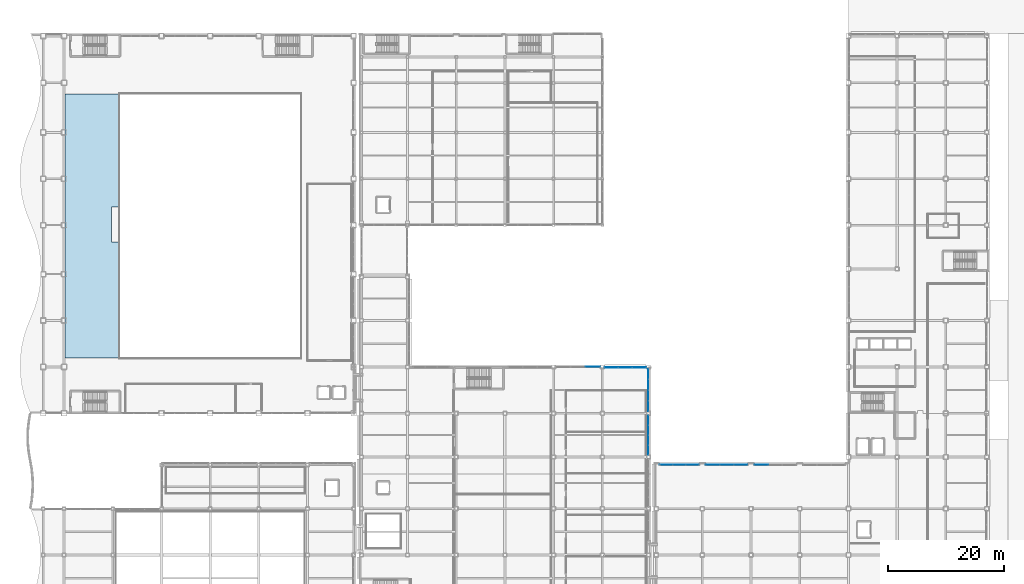
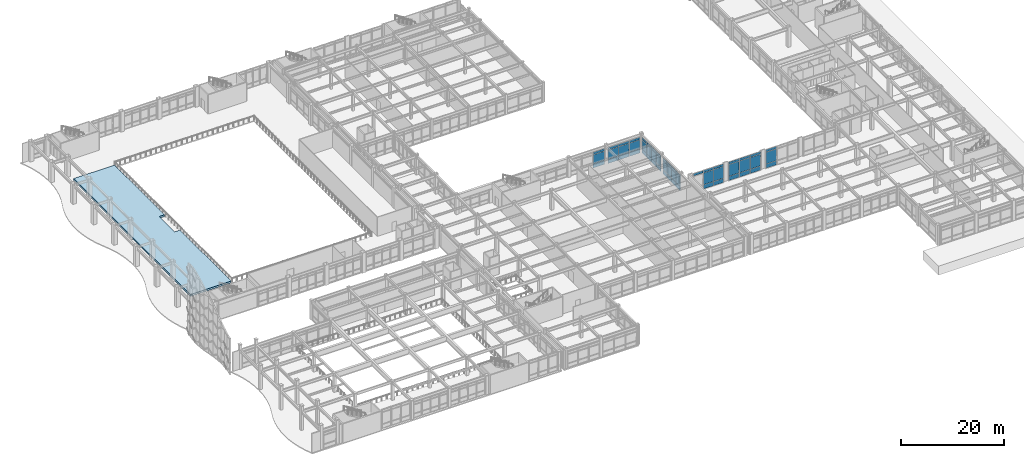
# One storey, part 129 of 172: 55 plates, 1 slab, 7 elements without a shape of their own.
"""IFC4 building model written with IfcOpenShell, lengths in metres."""

from ifc_helpers import new_model, si_unit, direction, frame, origin, origin_2d, place, context, subcontext, project, spatial, polyline, rectangle, outline, extrude, material, layer, layer_set, type_object, element, aggregate, save


model = new_model("IFC4")

# Units and contexts
model_context = context("Model", 3, precision=1e-05, world=origin(), true_north=direction((0.0, 1.0)))
body_context = subcontext(model_context, "Body", "Model", "MODEL_VIEW")
ifc_project = project(units=[si_unit("LENGTHUNIT", "METRE"), si_unit("AREAUNIT", "SQUARE_METRE"), si_unit("VOLUMEUNIT", "CUBIC_METRE"), si_unit("PLANEANGLEUNIT", "RADIAN"), si_unit("MASSUNIT", "GRAM", prefix="KILO")], contexts=[model_context])

# Site, building, storey
site_placement = place(None, origin())
site = spatial("IfcSite", under=ifc_project, at=site_placement, CompositionType="ELEMENT")
building_placement = place(site_placement, origin())
building = spatial("IfcBuilding", under=site, at=building_placement, Name="Kazehara Bluff Congress Hotel", CompositionType="ELEMENT")
storey_placement = place(building_placement, frame((0.0, 0.0, 5.39990234375)))
storey = spatial("IfcBuildingStorey", under=building, at=storey_placement, Name="L01", CompositionType="ELEMENT", Elevation=5.39990234375)

# Curtain wall, plates
ifc_material_1 = material(Name="Anodised aluminium", Category="aluminium")
ifc_layer_1 = layer(ifc_material_1, 0.159912109375)
ifc_layer_set_1 = layer_set([ifc_layer_1], Name="Anodised aluminium")
curtain_wall_type_1 = type_object("IfcCurtainWallType", Name="TP-CW-55", PredefinedType="NOTDEFINED", material=ifc_layer_set_1)
curtain_wall_1_placement = place(storey_placement, origin())
curtain_wall_1 = element("IfcCurtainWall", 1, at=curtain_wall_1_placement, inside=storey, type_object=curtain_wall_type_1, Name="L01 curtain wall CW-55 CW-V4-L01-X10920-4122", PredefinedType="NOTDEFINED")
ifc_material_2 = material(Name="Insulated low-E double glazing", Category="glass")
ifc_layer_2 = layer(ifc_material_2, 0.028076171875)
ifc_layer_set_2 = layer_set([ifc_layer_2], Name="Insulated low-E double glazing")
plate_type_1 = type_object("IfcPlateType", Name="TP-CWP-01", PredefinedType="CURTAIN_PANEL", material=ifc_layer_set_2)
plate_1_placement = place(storey_placement, frame((109.199951171875, 42.103759765625, 0.06494140625), z_axis=(0.0, 0.0, 1.0), x_axis=(0.0, 1.0, 0.0)))
plate_1 = element("IfcPlate", 2, at=plate_1_placement, type_object=plate_type_1, Name="CW-55 panel 1.1", PredefinedType="CURTAIN_PANEL", context=body_context, shape_type="SweptSolid", body=[
    extrude(rectangle(XDim=1.62744140625, YDim=0.028076171875, at=origin_2d()), origin(), (0.0, 0.0, 1.0), 0.952392578125),
])
plate_2_placement = place(storey_placement, frame((109.199951171875, 42.103759765625, 1.08251953125), z_axis=(0.0, 0.0, 1.0), x_axis=(0.0, 1.0, 0.0)))
plate_2 = element("IfcPlate", 3, at=plate_2_placement, type_object=plate_type_1, Name="CW-55 panel 1.2", PredefinedType="CURTAIN_PANEL", context=body_context, shape_type="SweptSolid", body=[
    extrude(rectangle(XDim=1.62744140625, YDim=0.028076171875, at=origin_2d()), origin(), (0.0, 0.0, 1.0), 2.110107421875),
])
plate_3_placement = place(storey_placement, frame((109.199951171875, 42.103759765625, 3.2578125), z_axis=(0.0, 0.0, 1.0), x_axis=(0.0, 1.0, 0.0)))
plate_3 = element("IfcPlate", 4, at=plate_3_placement, type_object=plate_type_1, Name="CW-55 panel 1.3", PredefinedType="CURTAIN_PANEL", context=body_context, shape_type="SweptSolid", body=[
    extrude(rectangle(XDim=1.62744140625, YDim=0.028076171875, at=origin_2d()), origin(), (0.0, 0.0, 1.0), 0.552490234375),
])
plate_4_placement = place(storey_placement, frame((109.199951171875, 43.8125, 0.06494140625), z_axis=(0.0, 0.0, 1.0), x_axis=(0.0, 1.0, 0.0)))
plate_4 = element("IfcPlate", 5, at=plate_4_placement, type_object=plate_type_1, Name="CW-55 panel 2.1", PredefinedType="CURTAIN_PANEL", context=body_context, shape_type="SweptSolid", body=[
    extrude(rectangle(XDim=1.659912109375, YDim=0.028076171875, at=origin_2d()), origin(), (0.0, 0.0, 1.0), 0.952392578125),
])
plate_5_placement = place(storey_placement, frame((109.199951171875, 43.8125, 1.08251953125), z_axis=(0.0, 0.0, 1.0), x_axis=(0.0, 1.0, 0.0)))
plate_5 = element("IfcPlate", 6, at=plate_5_placement, type_object=plate_type_1, Name="CW-55 panel 2.2", PredefinedType="CURTAIN_PANEL", context=body_context, shape_type="SweptSolid", body=[
    extrude(rectangle(XDim=1.659912109375, YDim=0.028076171875, at=origin_2d()), origin(), (0.0, 0.0, 1.0), 2.110107421875),
])
plate_6_placement = place(storey_placement, frame((109.199951171875, 43.8125, 3.2578125), z_axis=(0.0, 0.0, 1.0), x_axis=(0.0, 1.0, 0.0)))
plate_6 = element("IfcPlate", 7, at=plate_6_placement, type_object=plate_type_1, Name="CW-55 panel 2.3", PredefinedType="CURTAIN_PANEL", context=body_context, shape_type="SweptSolid", body=[
    extrude(rectangle(XDim=1.659912109375, YDim=0.028076171875, at=origin_2d()), origin(), (0.0, 0.0, 1.0), 0.552490234375),
])
plate_7_placement = place(storey_placement, frame((109.199951171875, 45.53759765625, 0.06494140625), z_axis=(0.0, 0.0, 1.0), x_axis=(0.0, 1.0, 0.0)))
plate_7 = element("IfcPlate", 8, at=plate_7_placement, type_object=plate_type_1, Name="CW-55 panel 3.1", PredefinedType="CURTAIN_PANEL", context=body_context, shape_type="SweptSolid", body=[
    extrude(rectangle(XDim=1.659912109375, YDim=0.028076171875, at=origin_2d()), origin(), (0.0, 0.0, 1.0), 0.952392578125),
])
plate_8_placement = place(storey_placement, frame((109.199951171875, 45.53759765625, 1.08251953125), z_axis=(0.0, 0.0, 1.0), x_axis=(0.0, 1.0, 0.0)))
plate_8 = element("IfcPlate", 9, at=plate_8_placement, type_object=plate_type_1, Name="CW-55 panel 3.2", PredefinedType="CURTAIN_PANEL", context=body_context, shape_type="SweptSolid", body=[
    extrude(rectangle(XDim=1.659912109375, YDim=0.028076171875, at=origin_2d()), origin(), (0.0, 0.0, 1.0), 2.110107421875),
])
plate_9_placement = place(storey_placement, frame((109.199951171875, 45.53759765625, 3.2578125), z_axis=(0.0, 0.0, 1.0), x_axis=(0.0, 1.0, 0.0)))
plate_9 = element("IfcPlate", 10, at=plate_9_placement, type_object=plate_type_1, Name="CW-55 panel 3.3", PredefinedType="CURTAIN_PANEL", context=body_context, shape_type="SweptSolid", body=[
    extrude(rectangle(XDim=1.659912109375, YDim=0.028076171875, at=origin_2d()), origin(), (0.0, 0.0, 1.0), 0.552490234375),
])
plate_10_placement = place(storey_placement, frame((109.199951171875, 47.246337890625, 0.06494140625), z_axis=(0.0, 0.0, 1.0), x_axis=(0.0, 1.0, 0.0)))
plate_10 = element("IfcPlate", 11, at=plate_10_placement, type_object=plate_type_1, Name="CW-55 panel 4.1", PredefinedType="CURTAIN_PANEL", context=body_context, shape_type="SweptSolid", body=[
    extrude(rectangle(XDim=1.62744140625, YDim=0.028076171875, at=origin_2d()), origin(), (0.0, 0.0, 1.0), 0.952392578125),
])
plate_11_placement = place(storey_placement, frame((109.199951171875, 47.246337890625, 1.08251953125), z_axis=(0.0, 0.0, 1.0), x_axis=(0.0, 1.0, 0.0)))
plate_11 = element("IfcPlate", 12, at=plate_11_placement, type_object=plate_type_1, Name="CW-55 panel 4.2", PredefinedType="CURTAIN_PANEL", context=body_context, shape_type="SweptSolid", body=[
    extrude(rectangle(XDim=1.62744140625, YDim=0.028076171875, at=origin_2d()), origin(), (0.0, 0.0, 1.0), 2.110107421875),
])
plate_12_placement = place(storey_placement, frame((109.199951171875, 47.246337890625, 3.2578125), z_axis=(0.0, 0.0, 1.0), x_axis=(0.0, 1.0, 0.0)))
plate_12 = element("IfcPlate", 13, at=plate_12_placement, type_object=plate_type_1, Name="CW-55 panel 4.3", PredefinedType="CURTAIN_PANEL", context=body_context, shape_type="SweptSolid", body=[
    extrude(rectangle(XDim=1.62744140625, YDim=0.028076171875, at=origin_2d()), origin(), (0.0, 0.0, 1.0), 0.552490234375),
])
aggregate(curtain_wall_1, [plate_1, plate_2, plate_3, plate_4, plate_5, plate_6, plate_7, plate_8, plate_9, plate_10, plate_11, plate_12])

ifc_material_3 = material(Name="Anodised aluminium", Category="aluminium")
ifc_layer_3 = layer(ifc_material_3, 0.159912109375)
ifc_layer_set_3 = layer_set([ifc_layer_3], Name="Anodised aluminium")
curtain_wall_type_2 = type_object("IfcCurtainWallType", Name="TP-CW-56", PredefinedType="NOTDEFINED", material=ifc_layer_set_3)
curtain_wall_2_placement = place(storey_placement, origin())
curtain_wall_2 = element("IfcCurtainWall", 14, at=curtain_wall_2_placement, inside=storey, type_object=curtain_wall_type_2, Name="L01 curtain wall CW-56 CW-V4-L01-X10920-4878", PredefinedType="NOTDEFINED")
plate_13_placement = place(storey_placement, frame((109.199951171875, 49.7099609375, 0.06494140625), z_axis=(0.0, 0.0, 1.0), x_axis=(0.0, 1.0, 0.0)))
plate_13 = element("IfcPlate", 15, at=plate_13_placement, type_object=plate_type_1, Name="CW-56 panel 1.1", PredefinedType="CURTAIN_PANEL", context=body_context, shape_type="SweptSolid", body=[
    extrude(rectangle(XDim=1.739990234375, YDim=0.028076171875, at=origin_2d()), origin(), (0.0, 0.0, 1.0), 0.952392578125),
])
plate_14_placement = place(storey_placement, frame((109.199951171875, 49.7099609375, 1.08251953125), z_axis=(0.0, 0.0, 1.0), x_axis=(0.0, 1.0, 0.0)))
plate_14 = element("IfcPlate", 16, at=plate_14_placement, type_object=plate_type_1, Name="CW-56 panel 1.2", PredefinedType="CURTAIN_PANEL", context=body_context, shape_type="SweptSolid", body=[
    extrude(rectangle(XDim=1.739990234375, YDim=0.028076171875, at=origin_2d()), origin(), (0.0, 0.0, 1.0), 2.110107421875),
])
plate_15_placement = place(storey_placement, frame((109.199951171875, 49.7099609375, 3.2578125), z_axis=(0.0, 0.0, 1.0), x_axis=(0.0, 1.0, 0.0)))
plate_15 = element("IfcPlate", 17, at=plate_15_placement, type_object=plate_type_1, Name="CW-56 panel 1.3", PredefinedType="CURTAIN_PANEL", context=body_context, shape_type="SweptSolid", body=[
    extrude(rectangle(XDim=1.739990234375, YDim=0.028076171875, at=origin_2d()), origin(), (0.0, 0.0, 1.0), 0.552490234375),
])
plate_16_placement = place(storey_placement, frame((109.199951171875, 51.53125, 0.06494140625), z_axis=(0.0, 0.0, 1.0), x_axis=(0.0, 1.0, 0.0)))
plate_16 = element("IfcPlate", 18, at=plate_16_placement, type_object=plate_type_1, Name="CW-56 panel 2.1", PredefinedType="CURTAIN_PANEL", context=body_context, shape_type="SweptSolid", body=[
    extrude(rectangle(XDim=1.7724609375, YDim=0.028076171875, at=origin_2d()), origin(), (0.0, 0.0, 1.0), 0.952392578125),
])
plate_17_placement = place(storey_placement, frame((109.199951171875, 51.53125, 1.08251953125), z_axis=(0.0, 0.0, 1.0), x_axis=(0.0, 1.0, 0.0)))
plate_17 = element("IfcPlate", 19, at=plate_17_placement, type_object=plate_type_1, Name="CW-56 panel 2.2", PredefinedType="CURTAIN_PANEL", context=body_context, shape_type="SweptSolid", body=[
    extrude(rectangle(XDim=1.7724609375, YDim=0.028076171875, at=origin_2d()), origin(), (0.0, 0.0, 1.0), 2.110107421875),
])
plate_18_placement = place(storey_placement, frame((109.199951171875, 51.53125, 3.2578125), z_axis=(0.0, 0.0, 1.0), x_axis=(0.0, 1.0, 0.0)))
plate_18 = element("IfcPlate", 20, at=plate_18_placement, type_object=plate_type_1, Name="CW-56 panel 2.3", PredefinedType="CURTAIN_PANEL", context=body_context, shape_type="SweptSolid", body=[
    extrude(rectangle(XDim=1.7724609375, YDim=0.028076171875, at=origin_2d()), origin(), (0.0, 0.0, 1.0), 0.552490234375),
])
plate_19_placement = place(storey_placement, frame((109.199951171875, 53.36865234375, 0.06494140625), z_axis=(0.0, 0.0, 1.0), x_axis=(0.0, 1.0, 0.0)))
plate_19 = element("IfcPlate", 21, at=plate_19_placement, type_object=plate_type_1, Name="CW-56 panel 3.1", PredefinedType="CURTAIN_PANEL", context=body_context, shape_type="SweptSolid", body=[
    extrude(rectangle(XDim=1.7724609375, YDim=0.028076171875, at=origin_2d()), origin(), (0.0, 0.0, 1.0), 0.952392578125),
])
plate_20_placement = place(storey_placement, frame((109.199951171875, 53.36865234375, 1.08251953125), z_axis=(0.0, 0.0, 1.0), x_axis=(0.0, 1.0, 0.0)))
plate_20 = element("IfcPlate", 22, at=plate_20_placement, type_object=plate_type_1, Name="CW-56 panel 3.2", PredefinedType="CURTAIN_PANEL", context=body_context, shape_type="SweptSolid", body=[
    extrude(rectangle(XDim=1.7724609375, YDim=0.028076171875, at=origin_2d()), origin(), (0.0, 0.0, 1.0), 2.110107421875),
])
plate_21_placement = place(storey_placement, frame((109.199951171875, 53.36865234375, 3.2578125), z_axis=(0.0, 0.0, 1.0), x_axis=(0.0, 1.0, 0.0)))
plate_21 = element("IfcPlate", 23, at=plate_21_placement, type_object=plate_type_1, Name="CW-56 panel 3.3", PredefinedType="CURTAIN_PANEL", context=body_context, shape_type="SweptSolid", body=[
    extrude(rectangle(XDim=1.7724609375, YDim=0.028076171875, at=origin_2d()), origin(), (0.0, 0.0, 1.0), 0.552490234375),
])
plate_22_placement = place(storey_placement, frame((109.199951171875, 55.18994140625, 0.06494140625), z_axis=(0.0, 0.0, 1.0), x_axis=(0.0, 1.0, 0.0)))
plate_22 = element("IfcPlate", 24, at=plate_22_placement, type_object=plate_type_1, Name="CW-56 panel 4.1", PredefinedType="CURTAIN_PANEL", context=body_context, shape_type="SweptSolid", body=[
    extrude(rectangle(XDim=1.739990234375, YDim=0.028076171875, at=origin_2d()), origin(), (0.0, 0.0, 1.0), 0.952392578125),
])
plate_23_placement = place(storey_placement, frame((109.199951171875, 55.18994140625, 1.08251953125), z_axis=(0.0, 0.0, 1.0), x_axis=(0.0, 1.0, 0.0)))
plate_23 = element("IfcPlate", 25, at=plate_23_placement, type_object=plate_type_1, Name="CW-56 panel 4.2", PredefinedType="CURTAIN_PANEL", context=body_context, shape_type="SweptSolid", body=[
    extrude(rectangle(XDim=1.739990234375, YDim=0.028076171875, at=origin_2d()), origin(), (0.0, 0.0, 1.0), 2.110107421875),
])
plate_24_placement = place(storey_placement, frame((109.199951171875, 55.18994140625, 3.2578125), z_axis=(0.0, 0.0, 1.0), x_axis=(0.0, 1.0, 0.0)))
plate_24 = element("IfcPlate", 26, at=plate_24_placement, type_object=plate_type_1, Name="CW-56 panel 4.3", PredefinedType="CURTAIN_PANEL", context=body_context, shape_type="SweptSolid", body=[
    extrude(rectangle(XDim=1.739990234375, YDim=0.028076171875, at=origin_2d()), origin(), (0.0, 0.0, 1.0), 0.552490234375),
])
aggregate(curtain_wall_2, [plate_13, plate_14, plate_15, plate_16, plate_17, plate_18, plate_19, plate_20, plate_21, plate_22, plate_23, plate_24])

ifc_material_4 = material(Name="Anodised aluminium", Category="aluminium")
ifc_layer_4 = layer(ifc_material_4, 0.159912109375)
ifc_layer_set_4 = layer_set([ifc_layer_4], Name="Anodised aluminium")
curtain_wall_type_3 = type_object("IfcCurtainWallType", Name="TP-CW-24", PredefinedType="NOTDEFINED", material=ifc_layer_set_4)
curtain_wall_3_placement = place(storey_placement, origin())
curtain_wall_3 = element("IfcCurtainWall", 27, at=curtain_wall_3_placement, inside=storey, type_object=curtain_wall_type_3, Name="L01 curtain wall CW-24 CW-V4-L01-Y5645-9318", PredefinedType="NOTDEFINED")
plate_25_placement = place(storey_placement, frame((99.6171875, 56.449951171875, 0.06494140625), z_axis=(0.0, 0.0, 1.0), x_axis=(1.0, 0.0, 0.0)))
plate_25 = element("IfcPlate", 28, at=plate_25_placement, type_object=plate_type_1, Name="CW-24 panel 3.1", PredefinedType="CURTAIN_PANEL", context=body_context, shape_type="SweptSolid", body=[
    extrude(rectangle(XDim=2.48583984375, YDim=0.028076171875, at=origin_2d()), origin(), (0.0, 0.0, 1.0), 0.952392578125),
])
plate_26_placement = place(storey_placement, frame((99.6171875, 56.449951171875, 1.08251953125), z_axis=(0.0, 0.0, 1.0), x_axis=(1.0, 0.0, 0.0)))
plate_26 = element("IfcPlate", 29, at=plate_26_placement, type_object=plate_type_1, Name="CW-24 panel 3.2", PredefinedType="CURTAIN_PANEL", context=body_context, shape_type="SweptSolid", body=[
    extrude(rectangle(XDim=2.48583984375, YDim=0.028076171875, at=origin_2d()), origin(), (0.0, 0.0, 1.0), 2.110107421875),
])
plate_27_placement = place(storey_placement, frame((99.6171875, 56.449951171875, 3.2578125), z_axis=(0.0, 0.0, 1.0), x_axis=(1.0, 0.0, 0.0)))
plate_27 = element("IfcPlate", 30, at=plate_27_placement, type_object=plate_type_1, Name="CW-24 panel 3.3", PredefinedType="CURTAIN_PANEL", context=body_context, shape_type="SweptSolid", body=[
    extrude(rectangle(XDim=2.48583984375, YDim=0.028076171875, at=origin_2d()), origin(), (0.0, 0.0, 1.0), 0.552490234375),
])
aggregate(curtain_wall_3, [plate_25, plate_26, plate_27])

ifc_material_5 = material(Name="Anodised aluminium", Category="aluminium")
ifc_layer_5 = layer(ifc_material_5, 0.159912109375)
ifc_layer_set_5 = layer_set([ifc_layer_5], Name="Anodised aluminium")
curtain_wall_type_4 = type_object("IfcCurtainWallType", Name="TP-CW-80", PredefinedType="NOTDEFINED", material=ifc_layer_set_5)
curtain_wall_4_placement = place(storey_placement, origin())
curtain_wall_4 = element("IfcCurtainWall", 31, at=curtain_wall_4_placement, inside=storey, type_object=curtain_wall_type_4, Name="L01 curtain wall CW-80 CW-ENC-V4-L01-10522-5635", PredefinedType="NOTDEFINED")
plate_28_placement = place(storey_placement, frame((102.807861328125, 56.35009765625, 0.06494140625), z_axis=(0.0, 0.0, 1.0), x_axis=(1.0, 0.0, 0.0)))
plate_28 = element("IfcPlate", 32, at=plate_28_placement, type_object=plate_type_1, Name="CW-80 panel 1.1", PredefinedType="CURTAIN_PANEL", context=body_context, shape_type="SweptSolid", body=[
    extrude(rectangle(XDim=2.3359375, YDim=0.028076171875, at=origin_2d()), origin(), (0.0, 0.0, 1.0), 0.952392578125),
])
plate_29_placement = place(storey_placement, frame((102.807861328125, 56.35009765625, 1.08251953125), z_axis=(0.0, 0.0, 1.0), x_axis=(1.0, 0.0, 0.0)))
plate_29 = element("IfcPlate", 33, at=plate_29_placement, type_object=plate_type_1, Name="CW-80 panel 1.2", PredefinedType="CURTAIN_PANEL", context=body_context, shape_type="SweptSolid", body=[
    extrude(rectangle(XDim=2.3359375, YDim=0.028076171875, at=origin_2d()), origin(), (0.0, 0.0, 1.0), 2.110107421875),
])
plate_30_placement = place(storey_placement, frame((102.807861328125, 56.35009765625, 3.2578125), z_axis=(0.0, 0.0, 1.0), x_axis=(1.0, 0.0, 0.0)))
plate_30 = element("IfcPlate", 34, at=plate_30_placement, type_object=plate_type_1, Name="CW-80 panel 1.3", PredefinedType="CURTAIN_PANEL", context=body_context, shape_type="SweptSolid", body=[
    extrude(rectangle(XDim=2.3359375, YDim=0.028076171875, at=origin_2d()), origin(), (0.0, 0.0, 1.0), 0.552490234375),
])
plate_31_placement = place(storey_placement, frame((105.22509765625, 56.35009765625, 0.06494140625), z_axis=(0.0, 0.0, 1.0), x_axis=(1.0, 0.0, 0.0)))
plate_31 = element("IfcPlate", 35, at=plate_31_placement, type_object=plate_type_1, Name="CW-80 panel 2.1", PredefinedType="CURTAIN_PANEL", context=body_context, shape_type="SweptSolid", body=[
    extrude(rectangle(XDim=2.368408203125, YDim=0.028076171875, at=origin_2d()), origin(), (0.0, 0.0, 1.0), 0.952392578125),
])
plate_32_placement = place(storey_placement, frame((105.22509765625, 56.35009765625, 1.08251953125), z_axis=(0.0, 0.0, 1.0), x_axis=(1.0, 0.0, 0.0)))
plate_32 = element("IfcPlate", 36, at=plate_32_placement, type_object=plate_type_1, Name="CW-80 panel 2.2", PredefinedType="CURTAIN_PANEL", context=body_context, shape_type="SweptSolid", body=[
    extrude(rectangle(XDim=2.368408203125, YDim=0.028076171875, at=origin_2d()), origin(), (0.0, 0.0, 1.0), 2.110107421875),
])
plate_33_placement = place(storey_placement, frame((105.22509765625, 56.35009765625, 3.2578125), z_axis=(0.0, 0.0, 1.0), x_axis=(1.0, 0.0, 0.0)))
plate_33 = element("IfcPlate", 37, at=plate_33_placement, type_object=plate_type_1, Name="CW-80 panel 2.3", PredefinedType="CURTAIN_PANEL", context=body_context, shape_type="SweptSolid", body=[
    extrude(rectangle(XDim=2.368408203125, YDim=0.028076171875, at=origin_2d()), origin(), (0.0, 0.0, 1.0), 0.552490234375),
])
plate_34_placement = place(storey_placement, frame((107.64208984375, 56.35009765625, 0.06494140625), z_axis=(0.0, 0.0, 1.0), x_axis=(1.0, 0.0, 0.0)))
plate_34 = element("IfcPlate", 38, at=plate_34_placement, type_object=plate_type_1, Name="CW-80 panel 3.1", PredefinedType="CURTAIN_PANEL", context=body_context, shape_type="SweptSolid", body=[
    extrude(rectangle(XDim=2.3359375, YDim=0.028076171875, at=origin_2d()), origin(), (0.0, 0.0, 1.0), 0.952392578125),
])
plate_35_placement = place(storey_placement, frame((107.64208984375, 56.35009765625, 1.08251953125), z_axis=(0.0, 0.0, 1.0), x_axis=(1.0, 0.0, 0.0)))
plate_35 = element("IfcPlate", 39, at=plate_35_placement, type_object=plate_type_1, Name="CW-80 panel 3.2", PredefinedType="CURTAIN_PANEL", context=body_context, shape_type="SweptSolid", body=[
    extrude(rectangle(XDim=2.3359375, YDim=0.028076171875, at=origin_2d()), origin(), (0.0, 0.0, 1.0), 2.110107421875),
])
plate_36_placement = place(storey_placement, frame((107.64208984375, 56.35009765625, 3.2578125), z_axis=(0.0, 0.0, 1.0), x_axis=(1.0, 0.0, 0.0)))
plate_36 = element("IfcPlate", 40, at=plate_36_placement, type_object=plate_type_1, Name="CW-80 panel 3.3", PredefinedType="CURTAIN_PANEL", context=body_context, shape_type="SweptSolid", body=[
    extrude(rectangle(XDim=2.3359375, YDim=0.028076171875, at=origin_2d()), origin(), (0.0, 0.0, 1.0), 0.552490234375),
])
aggregate(curtain_wall_4, [plate_28, plate_29, plate_30, plate_31, plate_32, plate_33, plate_34, plate_35, plate_36])

ifc_material_6 = material(Name="Anodised aluminium", Category="aluminium")
ifc_layer_6 = layer(ifc_material_6, 0.159912109375)
ifc_layer_set_6 = layer_set([ifc_layer_6], Name="Anodised aluminium")
curtain_wall_type_5 = type_object("IfcCurtainWallType", Name="TP-CW-82", PredefinedType="NOTDEFINED", material=ifc_layer_set_6)
curtain_wall_5_placement = place(storey_placement, origin())
curtain_wall_5 = element("IfcCurtainWall", 41, at=curtain_wall_5_placement, inside=storey, type_object=curtain_wall_type_5, Name="L01 curtain wall CW-82 CW-V5-L01-Y3955-11110", PredefinedType="NOTDEFINED")
ifc_material_7 = material(Name="Insulated low-E double glazing", Category="glass")
ifc_layer_7 = layer(ifc_material_7, 0.031982421875)
ifc_layer_set_7 = layer_set([ifc_layer_7], Name="Insulated low-E double glazing")
plate_type_2 = type_object("IfcPlateType", Name="TP-CWP-02", PredefinedType="CURTAIN_PANEL", material=ifc_layer_set_7)
plate_37_placement = place(storey_placement, frame((112.25927734375, 39.550048828125, 3.91748046875), z_axis=(0.0, 0.0, 1.0), x_axis=(1.0, 0.0, 0.0)))
plate_37 = element("IfcPlate", 42, at=plate_37_placement, type_object=plate_type_2, Name="CW-82 panel 1.3", PredefinedType="CURTAIN_PANEL", context=body_context, shape_type="SweptSolid", body=[
    extrude(rectangle(XDim=2.17822265625, YDim=0.031982421875, at=origin_2d()), origin(), (0.0, 0.0, 1.0), 0.552490234375),
])
plate_38_placement = place(storey_placement, frame((114.52490234375, 39.550048828125, 0.06494140625), z_axis=(0.0, 0.0, 1.0), x_axis=(1.0, 0.0, 0.0)))
plate_38 = element("IfcPlate", 43, at=plate_38_placement, type_object=plate_type_2, Name="CW-82 panel 2.1", PredefinedType="CURTAIN_PANEL", context=body_context, shape_type="SweptSolid", body=[
    extrude(rectangle(XDim=2.21337890625, YDim=0.031982421875, at=origin_2d()), origin(), (0.0, 0.0, 1.0), 0.952392578125),
])
plate_39_placement = place(storey_placement, frame((114.52490234375, 39.550048828125, 1.08251953125), z_axis=(0.0, 0.0, 1.0), x_axis=(1.0, 0.0, 0.0)))
plate_39 = element("IfcPlate", 44, at=plate_39_placement, type_object=plate_type_2, Name="CW-82 panel 2.2", PredefinedType="CURTAIN_PANEL", context=body_context, shape_type="SweptSolid", body=[
    extrude(rectangle(XDim=2.21337890625, YDim=0.031982421875, at=origin_2d()), origin(), (0.0, 0.0, 1.0), 2.77001953125),
])
plate_40_placement = place(storey_placement, frame((114.52490234375, 39.550048828125, 3.91748046875), z_axis=(0.0, 0.0, 1.0), x_axis=(1.0, 0.0, 0.0)))
plate_40 = element("IfcPlate", 45, at=plate_40_placement, type_object=plate_type_2, Name="CW-82 panel 2.3", PredefinedType="CURTAIN_PANEL", context=body_context, shape_type="SweptSolid", body=[
    extrude(rectangle(XDim=2.21337890625, YDim=0.031982421875, at=origin_2d()), origin(), (0.0, 0.0, 1.0), 0.552490234375),
])
plate_41_placement = place(storey_placement, frame((116.790771484375, 39.550048828125, 0.06494140625), z_axis=(0.0, 0.0, 1.0), x_axis=(1.0, 0.0, 0.0)))
plate_41 = element("IfcPlate", 46, at=plate_41_placement, type_object=plate_type_2, Name="CW-82 panel 3.1", PredefinedType="CURTAIN_PANEL", context=body_context, shape_type="SweptSolid", body=[
    extrude(rectangle(XDim=2.17822265625, YDim=0.031982421875, at=origin_2d()), origin(), (0.0, 0.0, 1.0), 0.952392578125),
])
plate_42_placement = place(storey_placement, frame((116.790771484375, 39.550048828125, 1.08251953125), z_axis=(0.0, 0.0, 1.0), x_axis=(1.0, 0.0, 0.0)))
plate_42 = element("IfcPlate", 47, at=plate_42_placement, type_object=plate_type_2, Name="CW-82 panel 3.2", PredefinedType="CURTAIN_PANEL", context=body_context, shape_type="SweptSolid", body=[
    extrude(rectangle(XDim=2.17822265625, YDim=0.031982421875, at=origin_2d()), origin(), (0.0, 0.0, 1.0), 2.77001953125),
])
plate_43_placement = place(storey_placement, frame((116.790771484375, 39.550048828125, 3.91748046875), z_axis=(0.0, 0.0, 1.0), x_axis=(1.0, 0.0, 0.0)))
plate_43 = element("IfcPlate", 48, at=plate_43_placement, type_object=plate_type_2, Name="CW-82 panel 3.3", PredefinedType="CURTAIN_PANEL", context=body_context, shape_type="SweptSolid", body=[
    extrude(rectangle(XDim=2.17822265625, YDim=0.031982421875, at=origin_2d()), origin(), (0.0, 0.0, 1.0), 0.552490234375),
])
aggregate(curtain_wall_5, [plate_37, plate_38, plate_39, plate_40, plate_41, plate_42, plate_43])

ifc_material_8 = material(Name="Anodised aluminium", Category="aluminium")
ifc_layer_8 = layer(ifc_material_8, 0.159912109375)
ifc_layer_set_8 = layer_set([ifc_layer_8], Name="Anodised aluminium")
curtain_wall_type_6 = type_object("IfcCurtainWallType", Name="TP-CW-48", PredefinedType="NOTDEFINED", material=ifc_layer_set_8)
curtain_wall_6_placement = place(storey_placement, origin())
curtain_wall_6 = element("IfcCurtainWall", 49, at=curtain_wall_6_placement, inside=storey, type_object=curtain_wall_type_6, Name="L01 curtain wall CW-48 CW-V5-L01-Y3955-11905", PredefinedType="NOTDEFINED")
plate_44_placement = place(storey_placement, frame((120.2841796875, 39.550048828125, 0.06494140625), z_axis=(0.0, 0.0, 1.0), x_axis=(1.0, 0.0, 0.0)))
plate_44 = element("IfcPlate", 50, at=plate_44_placement, type_object=plate_type_2, Name="CW-48 panel 1.1", PredefinedType="CURTAIN_PANEL", context=body_context, shape_type="SweptSolid", body=[
    extrude(rectangle(XDim=2.328369140625, YDim=0.031982421875, at=origin_2d()), origin(), (0.0, 0.0, 1.0), 0.952392578125),
])
plate_45_placement = place(storey_placement, frame((120.2841796875, 39.550048828125, 1.08251953125), z_axis=(0.0, 0.0, 1.0), x_axis=(1.0, 0.0, 0.0)))
plate_45 = element("IfcPlate", 51, at=plate_45_placement, type_object=plate_type_2, Name="CW-48 panel 1.2", PredefinedType="CURTAIN_PANEL", context=body_context, shape_type="SweptSolid", body=[
    extrude(rectangle(XDim=2.328369140625, YDim=0.031982421875, at=origin_2d()), origin(), (0.0, 0.0, 1.0), 2.77001953125),
])
plate_46_placement = place(storey_placement, frame((120.2841796875, 39.550048828125, 3.91748046875), z_axis=(0.0, 0.0, 1.0), x_axis=(1.0, 0.0, 0.0)))
plate_46 = element("IfcPlate", 52, at=plate_46_placement, type_object=plate_type_2, Name="CW-48 panel 1.3", PredefinedType="CURTAIN_PANEL", context=body_context, shape_type="SweptSolid", body=[
    extrude(rectangle(XDim=2.328369140625, YDim=0.031982421875, at=origin_2d()), origin(), (0.0, 0.0, 1.0), 0.552490234375),
])
plate_47_placement = place(storey_placement, frame((122.699951171875, 39.550048828125, 0.06494140625), z_axis=(0.0, 0.0, 1.0), x_axis=(1.0, 0.0, 0.0)))
plate_47 = element("IfcPlate", 53, at=plate_47_placement, type_object=plate_type_2, Name="CW-48 panel 2.1", PredefinedType="CURTAIN_PANEL", context=body_context, shape_type="SweptSolid", body=[
    extrude(rectangle(XDim=2.36328125, YDim=0.031982421875, at=origin_2d()), origin(), (0.0, 0.0, 1.0), 0.952392578125),
])
plate_48_placement = place(storey_placement, frame((122.699951171875, 39.550048828125, 1.08251953125), z_axis=(0.0, 0.0, 1.0), x_axis=(1.0, 0.0, 0.0)))
plate_48 = element("IfcPlate", 54, at=plate_48_placement, type_object=plate_type_2, Name="CW-48 panel 2.2", PredefinedType="CURTAIN_PANEL", context=body_context, shape_type="SweptSolid", body=[
    extrude(rectangle(XDim=2.36328125, YDim=0.031982421875, at=origin_2d()), origin(), (0.0, 0.0, 1.0), 2.77001953125),
])
plate_49_placement = place(storey_placement, frame((122.699951171875, 39.550048828125, 3.91748046875), z_axis=(0.0, 0.0, 1.0), x_axis=(1.0, 0.0, 0.0)))
plate_49 = element("IfcPlate", 55, at=plate_49_placement, type_object=plate_type_2, Name="CW-48 panel 2.3", PredefinedType="CURTAIN_PANEL", context=body_context, shape_type="SweptSolid", body=[
    extrude(rectangle(XDim=2.36328125, YDim=0.031982421875, at=origin_2d()), origin(), (0.0, 0.0, 1.0), 0.552490234375),
])
plate_50_placement = place(storey_placement, frame((125.11572265625, 39.550048828125, 0.06494140625), z_axis=(0.0, 0.0, 1.0), x_axis=(1.0, 0.0, 0.0)))
plate_50 = element("IfcPlate", 56, at=plate_50_placement, type_object=plate_type_2, Name="CW-48 panel 3.1", PredefinedType="CURTAIN_PANEL", context=body_context, shape_type="SweptSolid", body=[
    extrude(rectangle(XDim=2.328369140625, YDim=0.031982421875, at=origin_2d()), origin(), (0.0, 0.0, 1.0), 0.952392578125),
])
plate_51_placement = place(storey_placement, frame((125.11572265625, 39.550048828125, 1.08251953125), z_axis=(0.0, 0.0, 1.0), x_axis=(1.0, 0.0, 0.0)))
plate_51 = element("IfcPlate", 57, at=plate_51_placement, type_object=plate_type_2, Name="CW-48 panel 3.2", PredefinedType="CURTAIN_PANEL", context=body_context, shape_type="SweptSolid", body=[
    extrude(rectangle(XDim=2.328369140625, YDim=0.031982421875, at=origin_2d()), origin(), (0.0, 0.0, 1.0), 2.77001953125),
])
plate_52_placement = place(storey_placement, frame((125.11572265625, 39.550048828125, 3.91748046875), z_axis=(0.0, 0.0, 1.0), x_axis=(1.0, 0.0, 0.0)))
plate_52 = element("IfcPlate", 58, at=plate_52_placement, type_object=plate_type_2, Name="CW-48 panel 3.3", PredefinedType="CURTAIN_PANEL", context=body_context, shape_type="SweptSolid", body=[
    extrude(rectangle(XDim=2.328369140625, YDim=0.031982421875, at=origin_2d()), origin(), (0.0, 0.0, 1.0), 0.552490234375),
])
aggregate(curtain_wall_6, [plate_44, plate_45, plate_46, plate_47, plate_48, plate_49, plate_50, plate_51, plate_52])

curtain_wall_7_placement = place(storey_placement, origin())
curtain_wall_7 = element("IfcCurtainWall", 59, at=curtain_wall_7_placement, inside=storey, type_object=curtain_wall_type_6, Name="L01 curtain wall CW-48 CW-V5-L01-Y3955-12745", PredefinedType="NOTDEFINED")
plate_53_placement = place(storey_placement, frame((128.68408203125, 39.550048828125, 0.06494140625), z_axis=(0.0, 0.0, 1.0), x_axis=(1.0, 0.0, 0.0)))
plate_53 = element("IfcPlate", 60, at=plate_53_placement, type_object=plate_type_2, Name="CW-48 panel 1.1", PredefinedType="CURTAIN_PANEL", context=body_context, shape_type="SweptSolid", body=[
    extrude(rectangle(XDim=2.328369140625, YDim=0.031982421875, at=origin_2d()), origin(), (0.0, 0.0, 1.0), 0.952392578125),
])
plate_54_placement = place(storey_placement, frame((128.68408203125, 39.550048828125, 1.08251953125), z_axis=(0.0, 0.0, 1.0), x_axis=(1.0, 0.0, 0.0)))
plate_54 = element("IfcPlate", 61, at=plate_54_placement, type_object=plate_type_2, Name="CW-48 panel 1.2", PredefinedType="CURTAIN_PANEL", context=body_context, shape_type="SweptSolid", body=[
    extrude(rectangle(XDim=2.328369140625, YDim=0.031982421875, at=origin_2d()), origin(), (0.0, 0.0, 1.0), 2.77001953125),
])
plate_55_placement = place(storey_placement, frame((128.68408203125, 39.550048828125, 3.91748046875), z_axis=(0.0, 0.0, 1.0), x_axis=(1.0, 0.0, 0.0)))
plate_55 = element("IfcPlate", 62, at=plate_55_placement, type_object=plate_type_2, Name="CW-48 panel 1.3", PredefinedType="CURTAIN_PANEL", context=body_context, shape_type="SweptSolid", body=[
    extrude(rectangle(XDim=2.328369140625, YDim=0.031982421875, at=origin_2d()), origin(), (0.0, 0.0, 1.0), 0.552490234375),
])
aggregate(curtain_wall_7, [plate_53, plate_54, plate_55])

# Slab
ifc_material_9 = material(Name="Precast concrete C40/50", Category="concrete")
ifc_layer_9 = layer(ifc_material_9, 0.449951171875)
ifc_layer_set_9 = layer_set([ifc_layer_9], Name="Precast concrete C40/50")
slab_type = type_object("IfcSlabType", Name="TP-SL-TIER", PredefinedType="FLOOR", material=ifc_layer_set_9)
slab_placement = place(storey_placement, origin())
element("IfcSlab", 63, at=slab_placement, inside=storey, type_object=slab_type, Name="Congress Hall seating tier slab 3", PredefinedType="FLOOR", context=body_context, shape_type="SweptSolid", body=[
    extrude(outline(polyline([(8.60009765625, 58.0), (17.800048828125, 58.0), (17.800048828125, 78.0), (16.60009765625, 78.0), (16.60009765625, 84.0), (17.800048828125, 84.0), (17.800048828125, 103.5), (8.60009765625, 103.5), (8.60009765625, 58.0)])), origin(), (0.0, 0.0, 1.0), 0.4501953125),
])

save(model, "model.ifc")
